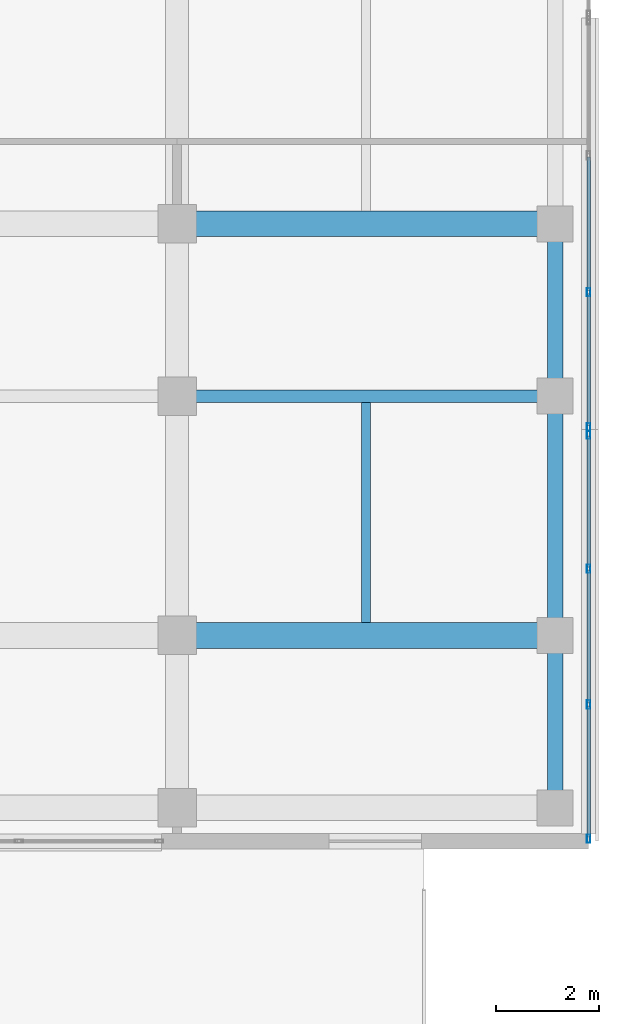
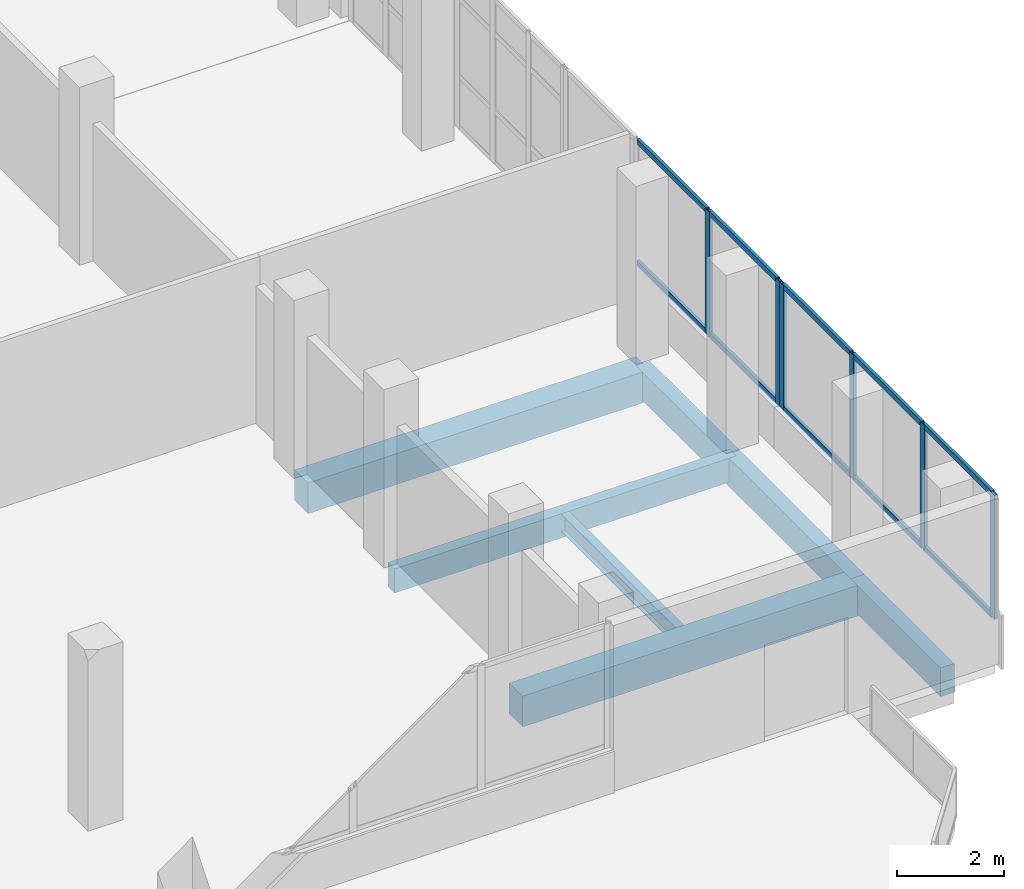
# One storey, part 61 of 101: 16 members, 7 beams, 2 elements without a shape of their own.
"""IFC4 building model written with IfcOpenShell, lengths in metres."""

from ifc_helpers import new_model, si_unit, direction, frame, origin, origin_2d, place, context, subcontext, project, spatial, rectangle, hollow_rectangle, i_section, extrude, material, material_profile, profile_set, type_object, element, aggregate, save


model = new_model("IFC4")

# Units and contexts
model_context = context("Model", 3, precision=1e-05, world=origin(), true_north=direction((0.0, 1.0)))
body_context = subcontext(model_context, "Body", "Model", "MODEL_VIEW")
ifc_project = project(units=[si_unit("LENGTHUNIT", "METRE"), si_unit("AREAUNIT", "SQUARE_METRE"), si_unit("VOLUMEUNIT", "CUBIC_METRE"), si_unit("PLANEANGLEUNIT", "RADIAN"), si_unit("MASSUNIT", "GRAM", prefix="KILO")], contexts=[model_context])

# Site, building, storey
site_placement = place(None, origin())
site = spatial("IfcSite", under=ifc_project, at=site_placement, CompositionType="ELEMENT")
building_placement = place(site_placement, origin())
building = spatial("IfcBuilding", under=site, at=building_placement, Name="Selatvlak General Hospital", CompositionType="ELEMENT")
storey_placement = place(building_placement, frame((0.0, 0.0, 19.199951171875)))
storey = spatial("IfcBuildingStorey", under=building, at=storey_placement, Name="L04", CompositionType="ELEMENT", Elevation=19.199951171875)

# Beams
ifc_material_1 = material(Name="Concrete C40/50", Category="concrete")
ifc_material_profile_1 = material_profile(ifc_material_1, rectangle(XDim=0.5, YDim=0.699951171875, at=origin_2d()), Name="RC-BM 500x700")
ifc_profile_set_1 = profile_set([ifc_material_profile_1], Name="Concrete C40/50")
beam_type_1 = type_object("IfcBeamType", Name="BM-G03", PredefinedType="BEAM", material=ifc_profile_set_1)
for number, where, z_axis, x_axis, name in (
    (1, (174.0, 68.0, -0.655029296875), (1.0, 0.0, 0.0), (0.0, 1.0, 0.0), "Beam BMR-L04-1515"),
    (2, (174.0, 76.0, -0.655029296875), (1.0, 0.0, 0.0), (0.0, 1.0, 0.0), "Beam BMR-L04-1531"),
):
    element("IfcBeam", number, at=place(storey_placement, frame(where, z_axis=z_axis, x_axis=x_axis)), inside=storey, type_object=beam_type_1, Name=name, PredefinedType="BEAM", context=body_context, shape_type="SweptSolid", body=[
        extrude(rectangle(XDim=0.5, YDim=0.699951171875, at=origin_2d()), origin(), (0.0, 0.0, 1.0), 7.35009765625),
    ])
ifc_material_2 = material(Name="Steel S355", Category="steel")
ifc_material_profile_2 = material_profile(ifc_material_2, i_section(OverallWidth=0.177978515625, OverallDepth=0.406494140625, WebThickness=0.0078125, FlangeThickness=0.0126953125, at=origin_2d()), Name="UB 406x178x60")
ifc_profile_set_2 = profile_set([ifc_material_profile_2], Name="Steel S355")
beam_type_2 = type_object("IfcBeamType", Name="BM-J04", PredefinedType="JOIST", material=ifc_profile_set_2)
beam_1_placement = place(storey_placement, frame((177.675048828125, 68.25, -0.508056640625), z_axis=(0.0, 1.0, 0.0), x_axis=(-1.0, 0.0, 0.0)))
element("IfcBeam", 3, at=beam_1_placement, inside=storey, type_object=beam_type_2, Name="Beam BMR-L04-1778", PredefinedType="JOIST", context=body_context, shape_type="SweptSolid", body=[
    extrude(i_section(OverallWidth=0.177978515625, OverallDepth=0.406494140625, WebThickness=0.0078125, FlangeThickness=0.0126953125, at=origin_2d()), origin(), (0.0, 0.0, 1.0), 4.27490234375),
])
ifc_material_profile_3 = material_profile(ifc_material_1, rectangle(XDim=0.300048828125, YDim=0.64990234375, at=origin_2d()), Name="RC-SP 300x650")
ifc_profile_set_3 = profile_set([ifc_material_profile_3], Name="Concrete C40/50")
beam_type_3 = type_object("IfcBeamType", Name="BM-SP1", PredefinedType="SPANDREL", material=ifc_profile_set_3)
beam_2_placement = place(storey_placement, frame((181.35009765625, 64.64990234375, -0.6298828125), z_axis=(0.0, 1.0, 0.0), x_axis=(-1.0, 0.0, 0.0)))
element("IfcBeam", 4, at=beam_2_placement, inside=storey, type_object=beam_type_3, Name="Beam BMR-L04-1766", PredefinedType="SPANDREL", context=body_context, shape_type="SweptSolid", body=[
    extrude(rectangle(XDim=0.300048828125, YDim=0.64990234375, at=origin_2d()), origin(), (0.0, 0.0, 1.0), 3.35009765625),
])
beam_3_placement = place(storey_placement, frame((181.35009765625, 68.0, -0.6298828125), z_axis=(0.0, 1.0, 0.0), x_axis=(-1.0, 0.0, 0.0)))
element("IfcBeam", 5, at=beam_3_placement, inside=storey, type_object=beam_type_3, Name="Beam BMR-L04-1767", PredefinedType="SPANDREL", context=body_context, shape_type="SweptSolid", body=[
    extrude(rectangle(XDim=0.300048828125, YDim=0.64990234375, at=origin_2d()), origin(), (0.0, 0.0, 1.0), 4.64990234375),
])
beam_4_placement = place(storey_placement, frame((181.35009765625, 72.64990234375, -0.6298828125), z_axis=(0.0, 1.0, 0.0), x_axis=(-1.0, 0.0, 0.0)))
element("IfcBeam", 6, at=beam_4_placement, inside=storey, type_object=beam_type_3, Name="Beam BMR-L04-1768", PredefinedType="SPANDREL", context=body_context, shape_type="SweptSolid", body=[
    extrude(rectangle(XDim=0.300048828125, YDim=0.64990234375, at=origin_2d()), origin(), (0.0, 0.0, 1.0), 3.35009765625),
])
ifc_material_profile_4 = material_profile(ifc_material_1, rectangle(XDim=0.25, YDim=0.550048828125, at=origin_2d()), Name="RC-SP 250x550")
ifc_profile_set_4 = profile_set([ifc_material_profile_4], Name="Concrete C40/50")
beam_type_4 = type_object("IfcBeamType", Name="BM-SP2", PredefinedType="SPANDREL", material=ifc_profile_set_4)
beam_5_placement = place(storey_placement, frame((174.0, 72.64990234375, -0.579833984375), z_axis=(1.0, 0.0, 0.0), x_axis=(0.0, 1.0, 0.0)))
element("IfcBeam", 7, at=beam_5_placement, inside=storey, type_object=beam_type_4, Name="Beam BMR-L04-1523", PredefinedType="SPANDREL", context=body_context, shape_type="SweptSolid", body=[
    extrude(rectangle(XDim=0.25, YDim=0.550048828125, at=origin_2d()), origin(), (0.0, 0.0, 1.0), 7.35009765625),
])

# Curtain wall, members
ifc_material_3 = material(Name="Solar-control Low-E double glazing", Category="glass")
curtain_wall_type_1 = type_object("IfcCurtainWallType", Name="CW-CW-01", PredefinedType="USERDEFINED", material=ifc_material_3)
curtain_wall_1_placement = place(storey_placement, origin())
curtain_wall_1 = element("IfcCurtainWall", 8, at=curtain_wall_1_placement, inside=storey, type_object=curtain_wall_type_1, Name="Glazed facade curtain wall CW-L04-0505", ObjectType="UNITISED CURTAIN WALL", PredefinedType="USERDEFINED")
ifc_material_4 = material(Name="Dark anodised aluminium mullion", Category="aluminium")
ifc_material_profile_5 = material_profile(ifc_material_4, hollow_rectangle(XDim=0.06494140625, YDim=0.159912109375, WallThickness=0.00390625, at=origin_2d()), Name="AL-MUL 65x160x4")
ifc_profile_set_5 = profile_set([ifc_material_profile_5], Name="Dark anodised aluminium mullion")
member_type_1 = type_object("IfcMemberType", Name="CWM-01", PredefinedType="MULLION", material=ifc_profile_set_5)
member_1_placement = place(storey_placement, frame((182.0, 74.672607421875, 0.93994140625), z_axis=(0.0, 0.0, 1.0), x_axis=(1.0, 0.0, 0.0)))
member_1 = element("IfcMember", 9, at=member_1_placement, type_object=member_type_1, Name="CW-01 mullion 3", PredefinedType="MULLION", context=body_context, shape_type="SweptSolid", body=[
    extrude(hollow_rectangle(XDim=0.06494140625, YDim=0.159912109375, WallThickness=0.00390625, at=origin_2d()), origin(), (0.0, 0.0, 1.0), 2.830078125),
])
member_2_placement = place(storey_placement, frame((182.0, 72.048583984375, 0.93994140625), z_axis=(0.0, 0.0, 1.0), x_axis=(1.0, 0.0, 0.0)))
member_2 = element("IfcMember", 10, at=member_2_placement, type_object=member_type_1, Name="CW-01 mullion 4", PredefinedType="MULLION", context=body_context, shape_type="SweptSolid", body=[
    extrude(hollow_rectangle(XDim=0.06494140625, YDim=0.159912109375, WallThickness=0.00390625, at=origin_2d()), origin(), (0.0, 0.0, 1.0), 2.830078125),
])

curtain_wall_type_2 = type_object("IfcCurtainWallType", Name="CW-CW-02", PredefinedType="USERDEFINED", material=ifc_material_3)
curtain_wall_2_placement = place(storey_placement, origin())
curtain_wall_2 = element("IfcCurtainWall", 11, at=curtain_wall_2_placement, inside=storey, type_object=curtain_wall_type_2, Name="Glazed facade curtain wall CW-L04-0506", ObjectType="UNITISED CURTAIN WALL", PredefinedType="USERDEFINED")
member_3_placement = place(storey_placement, frame((182.0, 71.903564453125, 0.93994140625), z_axis=(0.0, 0.0, 1.0), x_axis=(1.0, 0.0, 0.0)))
member_3 = element("IfcMember", 12, at=member_3_placement, type_object=member_type_1, Name="CW-02 mullion 1", PredefinedType="MULLION", context=body_context, shape_type="SweptSolid", body=[
    extrude(hollow_rectangle(XDim=0.06494140625, YDim=0.159912109375, WallThickness=0.00390625, at=origin_2d()), origin(), (0.0, 0.0, 1.0), 2.830078125),
])
member_4_placement = place(storey_placement, frame((182.0, 69.2958984375, 0.93994140625), z_axis=(0.0, 0.0, 1.0), x_axis=(1.0, 0.0, 0.0)))
member_4 = element("IfcMember", 13, at=member_4_placement, type_object=member_type_1, Name="CW-02 mullion 2", PredefinedType="MULLION", context=body_context, shape_type="SweptSolid", body=[
    extrude(hollow_rectangle(XDim=0.06494140625, YDim=0.159912109375, WallThickness=0.00390625, at=origin_2d()), origin(), (0.0, 0.0, 1.0), 2.830078125),
])
member_5_placement = place(storey_placement, frame((182.0, 66.656005859375, 0.93994140625), z_axis=(0.0, 0.0, 1.0), x_axis=(1.0, 0.0, 0.0)))
member_5 = element("IfcMember", 14, at=member_5_placement, type_object=member_type_1, Name="CW-02 mullion 3", PredefinedType="MULLION", context=body_context, shape_type="SweptSolid", body=[
    extrude(hollow_rectangle(XDim=0.06494140625, YDim=0.159912109375, WallThickness=0.00390625, at=origin_2d()), origin(), (0.0, 0.0, 1.0), 2.830078125),
])
member_6_placement = place(storey_placement, frame((182.0, 64.048583984375, 0.93994140625), z_axis=(0.0, 0.0, 1.0), x_axis=(1.0, 0.0, 0.0)))
member_6 = element("IfcMember", 15, at=member_6_placement, type_object=member_type_1, Name="CW-02 mullion 4", PredefinedType="MULLION", context=body_context, shape_type="SweptSolid", body=[
    extrude(hollow_rectangle(XDim=0.06494140625, YDim=0.159912109375, WallThickness=0.00390625, at=origin_2d()), origin(), (0.0, 0.0, 1.0), 2.830078125),
])

# Member
ifc_material_profile_6 = material_profile(ifc_material_4, hollow_rectangle(XDim=0.06494140625, YDim=0.1201171875, WallThickness=0.00390625, at=origin_2d()), Name="AL-TRN 65x120x4")
ifc_profile_set_6 = profile_set([ifc_material_profile_6], Name="Dark anodised aluminium mullion")
member_type_2 = type_object("IfcMemberType", Name="CWT-01", PredefinedType="USERDEFINED", material=ifc_profile_set_6)
member_7_placement = place(storey_placement, frame((182.0, 77.296875, 0.97265625), z_axis=(0.0, -1.0, 0.0), x_axis=(1.0, 0.0, 0.0)))
member_7 = element("IfcMember", 16, at=member_7_placement, type_object=member_type_2, Name="CW-01 transom 2.1", ObjectType="TRANSOM", PredefinedType="USERDEFINED", context=body_context, shape_type="SweptSolid", body=[
    extrude(hollow_rectangle(XDim=0.06494140625, YDim=0.1201171875, WallThickness=0.00390625, at=origin_2d()), origin(), (0.0, 0.0, 1.0), 2.591796875),
])

member_8_placement = place(storey_placement, frame((182.0, 77.296875, 3.737548828125), z_axis=(0.0, -1.0, 0.0), x_axis=(1.0, 0.0, 0.0)))
member_8 = element("IfcMember", 17, at=member_8_placement, type_object=member_type_2, Name="CW-01 transom 2.2", ObjectType="TRANSOM", PredefinedType="USERDEFINED", context=body_context, shape_type="SweptSolid", body=[
    extrude(hollow_rectangle(XDim=0.06494140625, YDim=0.1201171875, WallThickness=0.00390625, at=origin_2d()), origin(), (0.0, 0.0, 1.0), 2.591796875),
])

member_9_placement = place(storey_placement, frame((182.0, 74.64013671875, 0.97265625), z_axis=(0.0, -1.0, 0.0), x_axis=(1.0, 0.0, 0.0)))
member_9 = element("IfcMember", 18, at=member_9_placement, type_object=member_type_2, Name="CW-01 transom 3.1", ObjectType="TRANSOM", PredefinedType="USERDEFINED", context=body_context, shape_type="SweptSolid", body=[
    extrude(hollow_rectangle(XDim=0.06494140625, YDim=0.1201171875, WallThickness=0.00390625, at=origin_2d()), origin(), (0.0, 0.0, 1.0), 2.55908203125),
])

member_10_placement = place(storey_placement, frame((182.0, 74.64013671875, 3.737548828125), z_axis=(0.0, -1.0, 0.0), x_axis=(1.0, 0.0, 0.0)))
member_10 = element("IfcMember", 19, at=member_10_placement, type_object=member_type_2, Name="CW-01 transom 3.2", ObjectType="TRANSOM", PredefinedType="USERDEFINED", context=body_context, shape_type="SweptSolid", body=[
    extrude(hollow_rectangle(XDim=0.06494140625, YDim=0.1201171875, WallThickness=0.00390625, at=origin_2d()), origin(), (0.0, 0.0, 1.0), 2.55908203125),
])

aggregate(curtain_wall_1, [member_1, member_2, member_7, member_8, member_9, member_10])

member_11_placement = place(storey_placement, frame((182.0, 71.87109375, 0.97265625), z_axis=(0.0, -1.0, 0.0), x_axis=(1.0, 0.0, 0.0)))
member_11 = element("IfcMember", 20, at=member_11_placement, type_object=member_type_2, Name="CW-02 transom 1.1", ObjectType="TRANSOM", PredefinedType="USERDEFINED", context=body_context, shape_type="SweptSolid", body=[
    extrude(hollow_rectangle(XDim=0.06494140625, YDim=0.1201171875, WallThickness=0.00390625, at=origin_2d()), origin(), (0.0, 0.0, 1.0), 2.54248046875),
])

member_12_placement = place(storey_placement, frame((182.0, 71.87109375, 3.737548828125), z_axis=(0.0, -1.0, 0.0), x_axis=(1.0, 0.0, 0.0)))
member_12 = element("IfcMember", 21, at=member_12_placement, type_object=member_type_2, Name="CW-02 transom 1.2", ObjectType="TRANSOM", PredefinedType="USERDEFINED", context=body_context, shape_type="SweptSolid", body=[
    extrude(hollow_rectangle(XDim=0.06494140625, YDim=0.1201171875, WallThickness=0.00390625, at=origin_2d()), origin(), (0.0, 0.0, 1.0), 2.54248046875),
])

member_13_placement = place(storey_placement, frame((182.0, 69.263427734375, 0.97265625), z_axis=(0.0, -1.0, 0.0), x_axis=(1.0, 0.0, 0.0)))
member_13 = element("IfcMember", 22, at=member_13_placement, type_object=member_type_2, Name="CW-02 transom 2.1", ObjectType="TRANSOM", PredefinedType="USERDEFINED", context=body_context, shape_type="SweptSolid", body=[
    extrude(hollow_rectangle(XDim=0.06494140625, YDim=0.1201171875, WallThickness=0.00390625, at=origin_2d()), origin(), (0.0, 0.0, 1.0), 2.574951171875),
])

member_14_placement = place(storey_placement, frame((182.0, 69.263427734375, 3.737548828125), z_axis=(0.0, -1.0, 0.0), x_axis=(1.0, 0.0, 0.0)))
member_14 = element("IfcMember", 23, at=member_14_placement, type_object=member_type_2, Name="CW-02 transom 2.2", ObjectType="TRANSOM", PredefinedType="USERDEFINED", context=body_context, shape_type="SweptSolid", body=[
    extrude(hollow_rectangle(XDim=0.06494140625, YDim=0.1201171875, WallThickness=0.00390625, at=origin_2d()), origin(), (0.0, 0.0, 1.0), 2.574951171875),
])

member_15_placement = place(storey_placement, frame((182.0, 66.62353515625, 0.97265625), z_axis=(0.0, -1.0, 0.0), x_axis=(1.0, 0.0, 0.0)))
member_15 = element("IfcMember", 24, at=member_15_placement, type_object=member_type_2, Name="CW-02 transom 3.1", ObjectType="TRANSOM", PredefinedType="USERDEFINED", context=body_context, shape_type="SweptSolid", body=[
    extrude(hollow_rectangle(XDim=0.06494140625, YDim=0.1201171875, WallThickness=0.00390625, at=origin_2d()), origin(), (0.0, 0.0, 1.0), 2.54248046875),
])

member_16_placement = place(storey_placement, frame((182.0, 66.62353515625, 3.737548828125), z_axis=(0.0, -1.0, 0.0), x_axis=(1.0, 0.0, 0.0)))
member_16 = element("IfcMember", 25, at=member_16_placement, type_object=member_type_2, Name="CW-02 transom 3.2", ObjectType="TRANSOM", PredefinedType="USERDEFINED", context=body_context, shape_type="SweptSolid", body=[
    extrude(hollow_rectangle(XDim=0.06494140625, YDim=0.1201171875, WallThickness=0.00390625, at=origin_2d()), origin(), (0.0, 0.0, 1.0), 2.54248046875),
])

aggregate(curtain_wall_2, [member_3, member_4, member_5, member_6, member_11, member_12, member_13, member_14, member_15, member_16])

save(model, "model.ifc")
